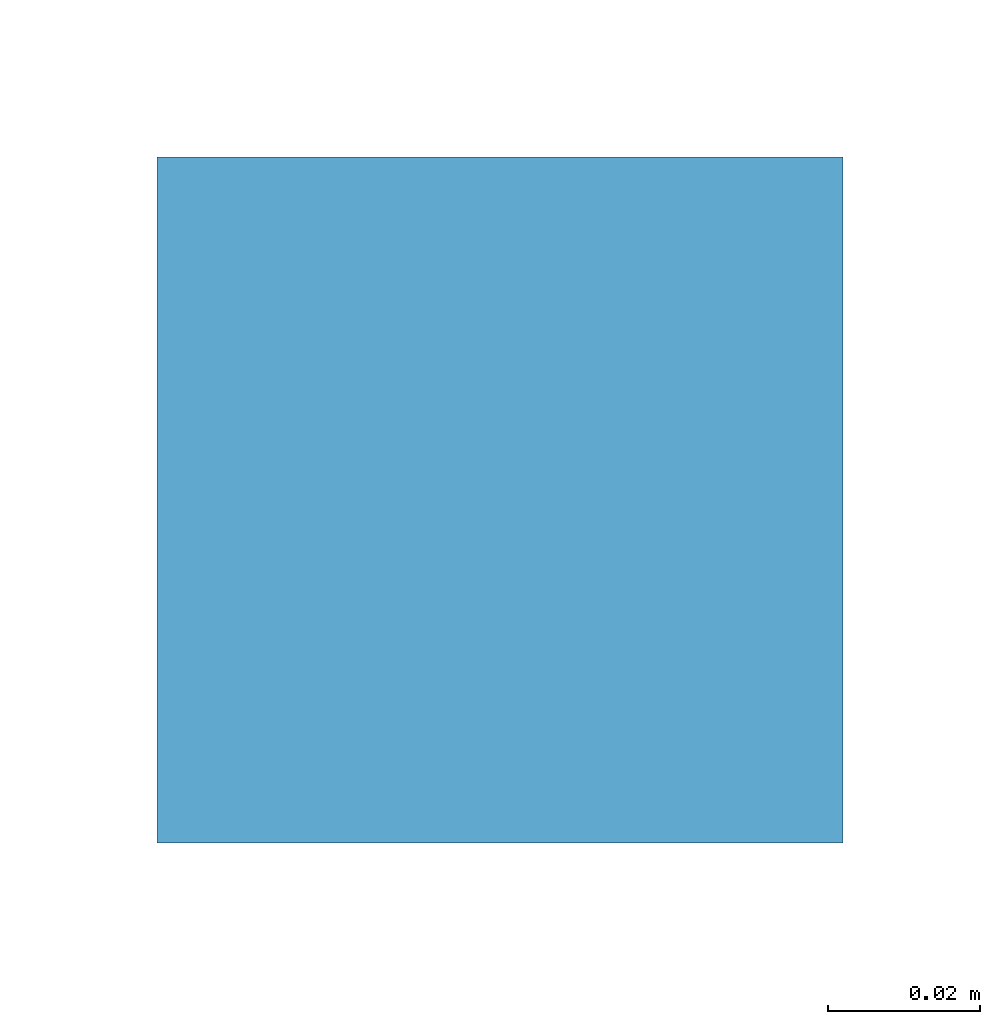
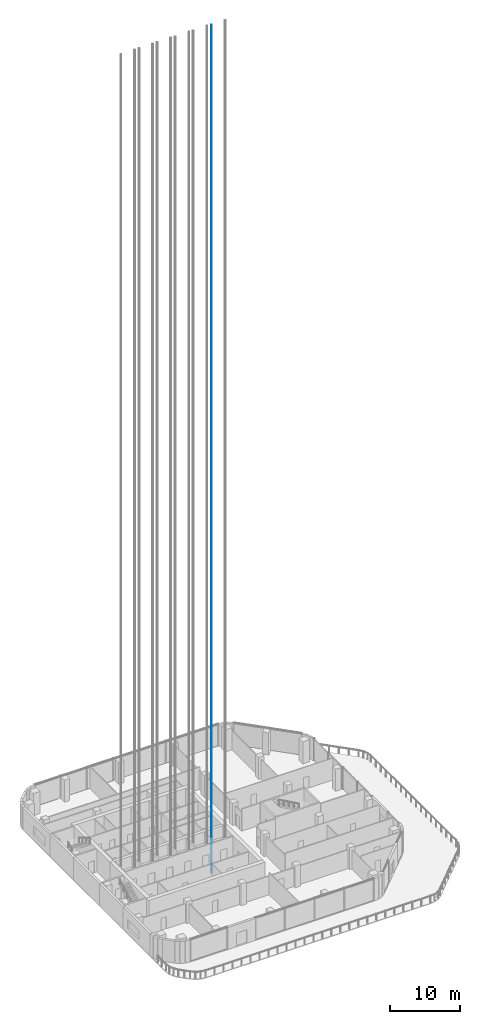
# One storey, part 16 of 29: 1 member.
"""IFC4 building model written with IfcOpenShell, lengths in metres."""

from ifc_helpers import new_model, si_unit, direction, frame, origin, origin_2d, place, context, subcontext, project, spatial, rectangle, extrude, material, material_profile, profile_set, type_object, element, save


model = new_model("IFC4")

# Units and contexts
model_context = context("Model", 3, precision=1e-05, world=origin(), true_north=direction((0.0, 1.0)))
body_context = subcontext(model_context, "Body", "Model", "MODEL_VIEW")
ifc_project = project(units=[si_unit("LENGTHUNIT", "METRE"), si_unit("AREAUNIT", "SQUARE_METRE"), si_unit("VOLUMEUNIT", "CUBIC_METRE"), si_unit("PLANEANGLEUNIT", "RADIAN"), si_unit("MASSUNIT", "GRAM", prefix="KILO")], contexts=[model_context])

# Site, building, storey
site_placement = place(None, origin())
site = spatial("IfcSite", under=ifc_project, at=site_placement, CompositionType="ELEMENT")
building_placement = place(site_placement, origin())
building = spatial("IfcBuilding", under=site, at=building_placement, Name="Cinnabar Reach Civic Tower", CompositionType="ELEMENT")
storey_placement = place(building_placement, frame((0.0, 0.0, 149.0)))
storey = spatial("IfcBuildingStorey", under=building, at=storey_placement, Name="L35", CompositionType="ELEMENT", Elevation=149.0)

# Member
ifc_material = material(Name="Steel Q355B", Category="steel")
ifc_material_profile = material_profile(ifc_material, rectangle(XDim=0.09, YDim=0.09, at=origin_2d()), Name="T1 lift guide rail")
ifc_profile_set = profile_set([ifc_material_profile], Name="Steel Q355B")
member_type = type_object("IfcMemberType", Name="T1 lift guide rail", PredefinedType="USERDEFINED", material=ifc_profile_set)
member_placement = place(storey_placement, frame((19.87, 30.0, -2.5), z_axis=(0.0, 0.0, 1.0), x_axis=(1.0, 0.0, 0.0)))
element("IfcMember", 1, at=member_placement, inside=storey, type_object=member_type, Name="T1-HR6 guide rail 1", ObjectType="GUIDE RAIL", PredefinedType="USERDEFINED", context=body_context, shape_type="SweptSolid", body=[
    extrude(rectangle(XDim=0.09, YDim=0.09, at=origin_2d()), origin(), (0.0, 0.0, 1.0), 148.5),
])

save(model, "model.ifc")
